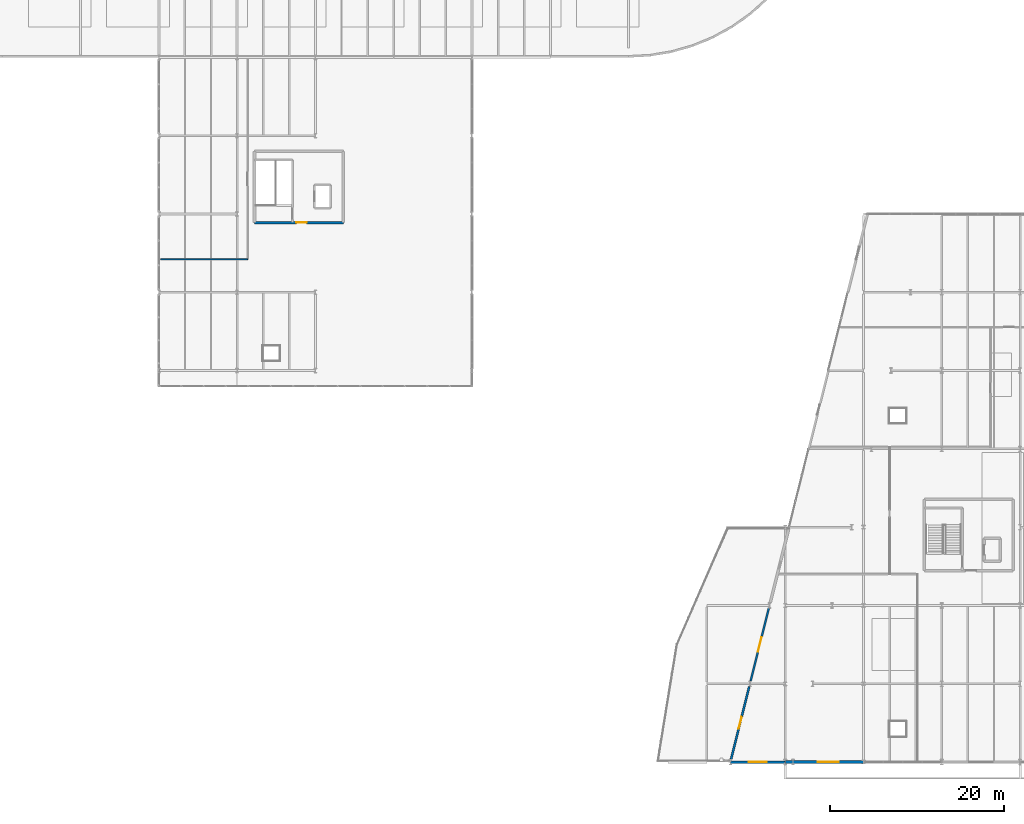
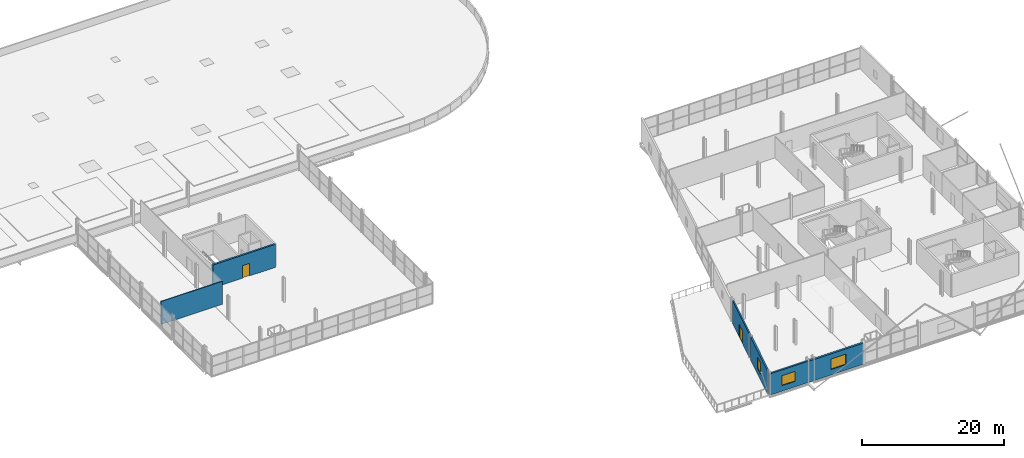
# One storey, part 52 of 59: 7 walls, 3 windows, 2 doors, 5 openings.
"""IFC4 building model written with IfcOpenShell, lengths in metres."""

from ifc_helpers import new_model, si_unit, direction, frame, frame_2d, origin, place, context, subcontext, project, spatial, rectangle, extrude, material, layer, layer_set, type_object, element, fill, save


model = new_model("IFC4")

# Units and contexts
model_context = context("Model", 3, precision=1e-05, world=origin(), true_north=direction((0.0, 1.0)))
body_context = subcontext(model_context, "Body", "Model", "MODEL_VIEW")
ifc_project = project(units=[si_unit("LENGTHUNIT", "METRE"), si_unit("AREAUNIT", "SQUARE_METRE"), si_unit("VOLUMEUNIT", "CUBIC_METRE"), si_unit("PLANEANGLEUNIT", "RADIAN"), si_unit("MASSUNIT", "GRAM", prefix="KILO")], contexts=[model_context])

# Site, building, storey
site_placement = place(None, origin())
site = spatial("IfcSite", under=ifc_project, at=site_placement, CompositionType="ELEMENT")
building_placement = place(site_placement, origin())
building = spatial("IfcBuilding", under=site, at=building_placement, Name="Deido Ridge Mobility Hub", CompositionType="ELEMENT")
storey_placement = place(building_placement, frame((0.0, 0.0, 21.0)))
storey = spatial("IfcBuildingStorey", under=building, at=storey_placement, Name="L05", CompositionType="ELEMENT", Elevation=21.0)

# Wall, opening, door
ifc_material_1 = material(Name="Powder-coated aluminium cladding EN AW-3003", Category="aluminium")
ifc_layer_1 = layer(ifc_material_1, 0.22509765625, Name="Powder-coated aluminium cladding EN AW-3003")
ifc_layer_set_1 = layer_set([ifc_layer_1], Name="Powder-coated aluminium cladding EN AW-3003")
wall_type_1 = type_object("IfcWallType", Name="WL-EXT-ALU-225", PredefinedType="STANDARD", material=ifc_layer_set_1)
wall_1_placement = place(storey_placement, frame((131.029296875, 9.317626953125, 0.0), z_axis=(0.0, 0.0, 1.0), x_axis=(0.242548949865, 0.970139168841, 0.0)))
wall_1 = element("IfcWall", 1, at=wall_1_placement, inside=storey, type_object=wall_type_1, Name="Exterior wall EW6", PredefinedType="STANDARD", context=body_context, shape_type="SweptSolid", body=[
    extrude(rectangle(XDim=8.622314453125, YDim=0.22509765625, at=frame_2d((4.31103515625, 0.0))), origin(), (0.0, 0.0, 1.0), 3.9599609375),
])
opening_1_placement = place(wall_1_placement, frame((3.461181640625, 0.0, 0.0)))
opening_1 = element("IfcOpeningElement", 2, at=opening_1_placement, cuts=wall_1, Name="Opening TD-L05", PredefinedType="OPENING", context=body_context, shape_type="SweptSolid", body=[
    extrude(rectangle(XDim=1.699951171875, YDim=2.199951171875, at=frame_2d((0.85009765625, 1.10009765625))), frame((0.0, 0.12255859375, 0.0), z_axis=(0.0, -1.0, 0.0), x_axis=(1.0, 0.0, 0.0)), (0.0, 0.0, 1.0), 0.2451171875),
])
ifc_material_2 = material(Name="Anodised aluminium EN AW-6063 T6", Category="aluminium")
door_type_1 = type_object("IfcDoorType", Name="DR-TER-1700X2200", OperationType="DOUBLE_DOOR_SINGLE_SWING", PredefinedType="DOOR", material=ifc_material_2)
door_1_placement = place(opening_1_placement, origin())
door_1 = element("IfcDoor", 3, at=door_1_placement, inside=storey, type_object=door_type_1, Name="DR-E0020 L05 escarpment terrace access door", OperationType="DOUBLE_DOOR_SINGLE_SWING", OverallHeight=2.199951171875, OverallWidth=1.699951171875, PredefinedType="DOOR", context=body_context, shape_type="SweptSolid", body=[
    extrude(rectangle(XDim=1.699951171875, YDim=2.199951171875, at=frame_2d((0.85009765625, 1.10009765625))), frame((0.0, 0.02490234375, 0.0), z_axis=(0.0, -1.0, 0.0), x_axis=(1.0, 0.0, 0.0)), (0.0, 0.0, 1.0), 0.050048828125),
])
fill(opening_1, door_1)

# Wall, opening, window
ifc_material_3 = material(Name="Fired clay brick masonry", Category="masonry")
ifc_layer_2 = layer(ifc_material_3, 0.31005859375, Name="Fired clay brick masonry")
ifc_layer_set_2 = layer_set([ifc_layer_2], Name="Fired clay brick masonry")
wall_type_2 = type_object("IfcWallType", Name="WL-EXT-BRK-310", PredefinedType="STANDARD", material=ifc_layer_set_2)
wall_2_placement = place(storey_placement, frame((135.90771484375, 0.0, 0.0), z_axis=(0.0, 0.0, 1.0), x_axis=(1.0, 0.0, 0.0)))
wall_2 = element("IfcWall", 4, at=wall_2_placement, inside=storey, type_object=wall_type_2, Name="Exterior wall EW1", PredefinedType="STANDARD", context=body_context, shape_type="SweptSolid", body=[
    extrude(rectangle(XDim=8.08349609375, YDim=0.31005859375, at=frame_2d((4.041748046875, 0.0))), origin(), (0.0, 0.0, 1.0), 3.635009765625),
])
opening_2_placement = place(wall_2_placement, frame((2.841796875, 0.0, 0.949951171875)))
opening_2 = element("IfcOpeningElement", 5, at=opening_2_placement, cuts=wall_2, Name="Opening W11", PredefinedType="OPENING", context=body_context, shape_type="SweptSolid", body=[
    extrude(rectangle(XDim=2.39990234375, YDim=1.800048828125, at=frame_2d((1.199951171875, 0.89990234375))), frame((0.0, 0.1650390625, 0.0), z_axis=(0.0, -1.0, 0.0), x_axis=(1.0, 0.0, 0.0)), (0.0, 0.0, 1.0), 0.330078125),
])
ifc_material_4 = material(Name="Laminated solar-control low-E glass", Category="glass")
window_type_1 = type_object("IfcWindowType", Name="WN-ALU-2400X1800", PartitioningType="DOUBLE_PANEL_VERTICAL", PredefinedType="WINDOW", material=ifc_material_4)
window_1_placement = place(opening_2_placement, origin())
window_1 = element("IfcWindow", 6, at=window_1_placement, inside=storey, type_object=window_type_1, Name="Exterior window W11", OverallHeight=1.800048828125, OverallWidth=2.39990234375, PartitioningType="SINGLE_PANEL", PredefinedType="WINDOW", context=body_context, shape_type="SweptSolid", body=[
    extrude(rectangle(XDim=2.39990234375, YDim=1.800048828125, at=frame_2d((1.199951171875, 0.89990234375))), frame((0.0, 0.030029296875, 0.0), z_axis=(0.0, -1.0, 0.0), x_axis=(1.0, 0.0, 0.0)), (0.0, 0.0, 1.0), 0.06005859375),
])
fill(opening_2, window_1)

# Wall
ifc_material_5 = material(Name="Concrete C35/45", Category="concrete")
ifc_layer_3 = layer(ifc_material_5, 0.340087890625, Name="Concrete C35/45")
ifc_layer_set_3 = layer_set([ifc_layer_3], Name="Concrete C35/45")
wall_type_3 = type_object("IfcWallType", Name="WL-EXT-RC-340", PredefinedType="STANDARD", material=ifc_layer_set_3)
wall_3_placement = place(storey_placement, frame((135.0078125, 0.0, 0.0), z_axis=(0.0, 0.0, 1.0), x_axis=(1.0, 0.0, 0.0)))
element("IfcWall", 7, at=wall_3_placement, inside=storey, type_object=wall_type_3, Name="Exterior wall EW5", PredefinedType="STANDARD", context=body_context, shape_type="SweptSolid", body=[
    extrude(rectangle(XDim=0.884521484375, YDim=0.340087890625, at=frame_2d((0.4423828125, 0.0))), origin(), (0.0, 0.0, 1.0), 3.6650390625),
])

# Wall, opening, window
ifc_material_6 = material(Name="Concrete blockwork masonry", Category="masonry")
ifc_layer_4 = layer(ifc_material_6, 0.2548828125, Name="Concrete blockwork masonry")
ifc_layer_set_4 = layer_set([ifc_layer_4], Name="Concrete blockwork masonry")
wall_type_4 = type_object("IfcWallType", Name="WL-PLG-BLK-255", PredefinedType="POLYGONAL", material=ifc_layer_set_4)
wall_4_placement = place(storey_placement, frame((128.779296875, 0.317626953125, 0.0), z_axis=(0.0, 0.0, 1.0), x_axis=(0.242548949865, 0.970139168841, 0.0)))
wall_4 = element("IfcWall", 8, at=wall_4_placement, inside=storey, type_object=wall_type_4, Name="Exterior wall PGW2", PredefinedType="POLYGONAL", context=body_context, shape_type="SweptSolid", body=[
    extrude(rectangle(XDim=8.622314453125, YDim=0.2548828125, at=frame_2d((4.31103515625, 0.0))), origin(), (0.0, 0.0, 1.0), 3.9599609375),
])
opening_3_placement = place(wall_4_placement, frame((3.611083984375, 0.0, 0.949951171875)))
opening_3 = element("IfcOpeningElement", 9, at=opening_3_placement, cuts=wall_4, Name="Opening W21", PredefinedType="OPENING", context=body_context, shape_type="SweptSolid", body=[
    extrude(rectangle(XDim=1.39990234375, YDim=2.0, at=frame_2d((0.699951171875, 1.0))), frame((0.0, 0.137451171875, 0.0), z_axis=(0.0, -1.0, 0.0), x_axis=(1.0, 0.0, 0.0)), (0.0, 0.0, 1.0), 0.27490234375),
])
window_type_2 = type_object("IfcWindowType", Name="WN-ALU-1400X2000", PartitioningType="SINGLE_PANEL", PredefinedType="WINDOW", material=ifc_material_4)
window_2_placement = place(opening_3_placement, origin())
window_2 = element("IfcWindow", 10, at=window_2_placement, inside=storey, type_object=window_type_2, Name="Exterior window W21", OverallHeight=2.0, OverallWidth=1.39990234375, PartitioningType="SINGLE_PANEL", PredefinedType="WINDOW", context=body_context, shape_type="SweptSolid", body=[
    extrude(rectangle(XDim=1.39990234375, YDim=2.0, at=frame_2d((0.699951171875, 1.0))), frame((0.0, 0.030029296875, 0.0), z_axis=(0.0, -1.0, 0.0), x_axis=(1.0, 0.0, 0.0)), (0.0, 0.0, 1.0), 0.06005859375),
])
fill(opening_3, window_2)

ifc_layer_5 = layer(ifc_material_3, 0.27490234375, Name="Fired clay brick masonry")
ifc_layer_set_5 = layer_set([ifc_layer_5], Name="Fired clay brick masonry")
wall_type_5 = type_object("IfcWallType", Name="WL-PLG-BRK-275", PredefinedType="POLYGONAL", material=ifc_layer_set_5)
wall_5_placement = place(storey_placement, frame((128.707763671875, 0.0, 0.0), z_axis=(0.0, 0.0, 1.0), x_axis=(1.0, 0.0, 0.0)))
wall_5 = element("IfcWall", 11, at=wall_5_placement, inside=storey, type_object=wall_type_5, Name="Exterior wall PGW1", PredefinedType="POLYGONAL", context=body_context, shape_type="SweptSolid", body=[
    extrude(rectangle(XDim=6.284423828125, YDim=0.27490234375, at=frame_2d((3.14208984375, 0.0))), origin(), (0.0, 0.0, 1.0), 3.6650390625),
])
opening_4_placement = place(wall_5_placement, frame((2.09228515625, 0.0, 0.949951171875)))
opening_4 = element("IfcOpeningElement", 12, at=opening_4_placement, cuts=wall_5, Name="Opening W9", PredefinedType="OPENING", context=body_context, shape_type="SweptSolid", body=[
    extrude(rectangle(XDim=2.10009765625, YDim=1.699951171875, at=frame_2d((1.050048828125, 0.85009765625))), frame((0.0, 0.1474609375, 0.0), z_axis=(0.0, -1.0, 0.0), x_axis=(1.0, 0.0, 0.0)), (0.0, 0.0, 1.0), 0.294921875),
])
window_type_3 = type_object("IfcWindowType", Name="WN-ALU-2100X1700", PartitioningType="DOUBLE_PANEL_VERTICAL", PredefinedType="WINDOW", material=ifc_material_4)
window_3_placement = place(opening_4_placement, origin())
window_3 = element("IfcWindow", 13, at=window_3_placement, inside=storey, type_object=window_type_3, Name="Exterior window W9", OverallHeight=1.699951171875, OverallWidth=2.10009765625, PartitioningType="SINGLE_PANEL", PredefinedType="WINDOW", context=body_context, shape_type="SweptSolid", body=[
    extrude(rectangle(XDim=2.10009765625, YDim=1.699951171875, at=frame_2d((1.050048828125, 0.85009765625))), frame((0.0, 0.030029296875, 0.0), z_axis=(0.0, -1.0, 0.0), x_axis=(1.0, 0.0, 0.0)), (0.0, 0.0, 1.0), 0.06005859375),
])
fill(opening_4, window_3)

# Wall
ifc_layer_6 = layer(ifc_material_6, 0.1298828125, Name="Concrete blockwork masonry")
ifc_layer_set_6 = layer_set([ifc_layer_6], Name="Concrete blockwork masonry")
wall_type_6 = type_object("IfcWallType", Name="WL-PRT-BLK-130", PredefinedType="PARTITIONING", material=ifc_layer_set_6)
wall_6_placement = place(storey_placement, frame((63.199951171875, 57.800048828125, 0.0), z_axis=(0.0, 0.0, 1.0), x_axis=(1.0, 0.0, 0.0)))
element("IfcWall", 14, at=wall_6_placement, inside=storey, type_object=wall_type_6, Name="Fitness studio south return wall", PredefinedType="PARTITIONING", context=body_context, shape_type="SweptSolid", body=[
    extrude(rectangle(XDim=10.0, YDim=0.1298828125, at=frame_2d((5.0, 0.0))), origin(), (0.0, 0.0, 1.0), 3.9599609375),
])

# Wall, opening, door
ifc_material_7 = material(Name="Concrete C40/50", Category="concrete")
ifc_layer_7 = layer(ifc_material_7, 0.300048828125, Name="Concrete C40/50")
ifc_layer_set_7 = layer_set([ifc_layer_7], Name="Concrete C40/50")
wall_type_7 = type_object("IfcWallType", Name="WL-SHR-RC-300", PredefinedType="SHEAR", material=ifc_layer_set_7)
wall_7_placement = place(storey_placement, frame((74.0, 62.0, 0.0), z_axis=(0.0, 0.0, 1.0), x_axis=(1.0, 0.0, 0.0)))
wall_7 = element("IfcWall", 15, at=wall_7_placement, inside=storey, type_object=wall_type_7, Name="C4 south shear wall", PredefinedType="SHEAR", context=body_context, shape_type="SweptSolid", body=[
    extrude(rectangle(XDim=10.199951171875, YDim=0.300048828125, at=frame_2d((5.10009765625, 0.0))), origin(), (0.0, 0.0, 1.0), 3.9599609375),
])
opening_5_placement = place(wall_7_placement, frame((4.800048828125, 0.0, 0.0)))
opening_5 = element("IfcOpeningElement", 16, at=opening_5_placement, cuts=wall_7, Name="Opening LD-C4-098", PredefinedType="OPENING", context=body_context, shape_type="SweptSolid", body=[
    extrude(rectangle(XDim=1.199951171875, YDim=2.14990234375, at=frame_2d((0.60009765625, 1.074951171875))), frame((0.0, 0.16015625, 0.0), z_axis=(0.0, -1.0, 0.0), x_axis=(1.0, 0.0, 0.0)), (0.0, 0.0, 1.0), 0.320068359375),
])
ifc_material_8 = material(Name="Galvanised steel work", Category="steel")
door_type_2 = type_object("IfcDoorType", Name="DR-FD60-1200X2150", OperationType="NOTDEFINED", PredefinedType="DOOR", material=ifc_material_8)
door_2_placement = place(opening_5_placement, origin())
door_2 = element("IfcDoor", 17, at=door_2_placement, inside=storey, type_object=door_type_2, Name="DR-I0098 C4 lift lobby door (L05)", OperationType="SINGLE_SWING_RIGHT", OverallHeight=2.14990234375, OverallWidth=1.199951171875, PredefinedType="DOOR", context=body_context, shape_type="SweptSolid", body=[
    extrude(rectangle(XDim=1.199951171875, YDim=2.14990234375, at=frame_2d((0.60009765625, 1.074951171875))), frame((0.0, 0.02490234375, 0.0), z_axis=(0.0, -1.0, 0.0), x_axis=(1.0, 0.0, 0.0)), (0.0, 0.0, 1.0), 0.050048828125),
])
fill(opening_5, door_2)

save(model, "model.ifc")
